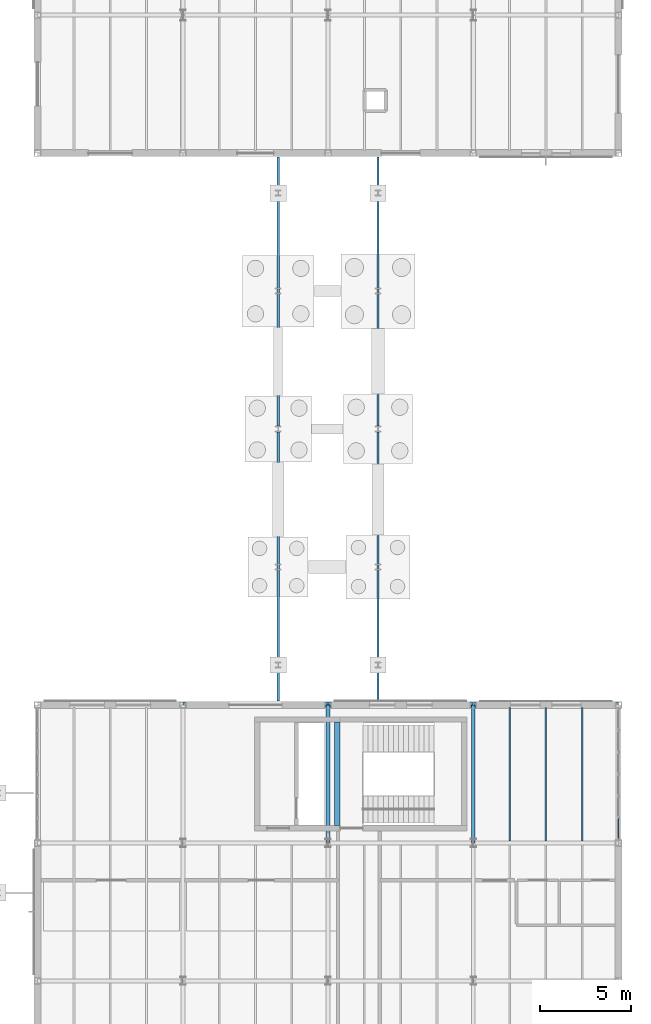
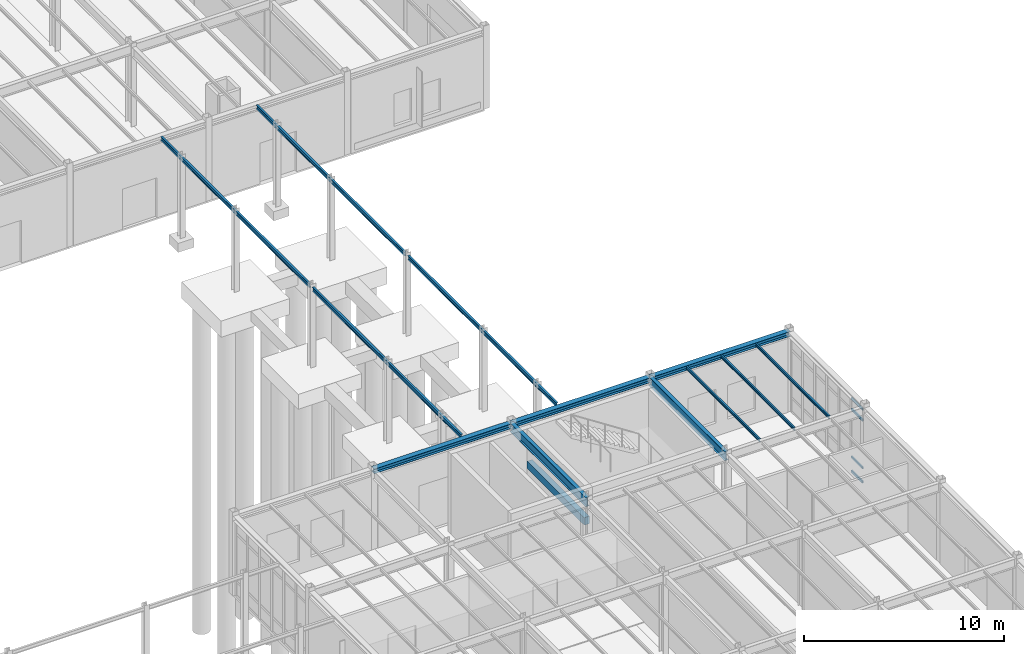
# One storey, part 69 of 109: 13 beams, 4 members, 1 element without a shape of its own.
"""IFC4 building model written with IfcOpenShell, lengths in metres."""

from ifc_helpers import new_model, si_unit, direction, frame, origin, origin_2d, place, context, subcontext, project, spatial, rectangle, hollow_rectangle, i_section, extrude, material, layer, layer_set, material_profile, profile_set, type_object, element, aggregate, save


model = new_model("IFC4")

# Units and contexts
model_context = context("Model", 3, precision=1e-05, world=origin(), true_north=direction((0.0, 1.0)))
body_context = subcontext(model_context, "Body", "Model", "MODEL_VIEW")
ifc_project = project(units=[si_unit("LENGTHUNIT", "METRE"), si_unit("AREAUNIT", "SQUARE_METRE"), si_unit("VOLUMEUNIT", "CUBIC_METRE"), si_unit("PLANEANGLEUNIT", "RADIAN"), si_unit("MASSUNIT", "GRAM", prefix="KILO")], contexts=[model_context])

# Site, building, storey
site_placement = place(None, origin())
site = spatial("IfcSite", under=ifc_project, at=site_placement, CompositionType="ELEMENT")
building_placement = place(site_placement, origin())
building = spatial("IfcBuilding", under=site, at=building_placement, Name="Montecoro Central Library", CompositionType="ELEMENT")
storey_placement = place(building_placement, origin())
storey = spatial("IfcBuildingStorey", under=building, at=storey_placement, Name="L00", CompositionType="ELEMENT", Elevation=0.0)

# Beams
ifc_material_1 = material(Name="Steel S355J2", Category="steel")
ifc_material_profile_1 = material_profile(ifc_material_1, i_section(OverallWidth=0.2099609375, OverallDepth=0.550048828125, WebThickness=0.010986328125, FlangeThickness=0.01708984375, at=origin_2d()), Name="IPE 550")
ifc_profile_set_1 = profile_set([ifc_material_profile_1], Name="Steel S355J2")
beam_type_1 = type_object("IfcBeamType", Name="BM-G-IPE550", PredefinedType="USERDEFINED", material=ifc_profile_set_1)
for number, where, z_axis, x_axis, name in (
    (1, (157.0, 35.405029296875, 4.570068359375), (0.0, 1.0, 0.0), (-1.0, 0.0, 0.0), "V6-L00-BY-20-EF"),
    (2, (165.0, 35.405029296875, 4.570068359375), (0.0, 1.0, 0.0), (-1.0, 0.0, 0.0), "V6-L00-BY-21-EF"),
):
    element("IfcBeam", number, at=place(storey_placement, frame(where, z_axis=z_axis, x_axis=x_axis)), inside=storey, type_object=beam_type_1, Name=name, ObjectType="GIRDER", PredefinedType="USERDEFINED", context=body_context, shape_type="SweptSolid", body=[
        extrude(i_section(OverallWidth=0.2099609375, OverallDepth=0.550048828125, WebThickness=0.010986328125, FlangeThickness=0.01708984375, at=origin_2d()), origin(), (0.0, 0.0, 1.0), 7.590087890625),
    ])
ifc_material_2 = material(Name="Steel S355", Category="steel")
ifc_material_profile_2 = material_profile(ifc_material_2, i_section(OverallWidth=0.091064453125, OverallDepth=0.179931640625, WebThickness=0.00537109375, FlangeThickness=0.008056640625, at=origin_2d()), Name="IPE 180")
ifc_profile_set_2 = profile_set([ifc_material_profile_2], Name="Steel S355")
beam_type_2 = type_object("IfcBeamType", Name="BM-J-IPE180", PredefinedType="JOIST", material=ifc_profile_set_2)
for number, where, z_axis, x_axis, name in (
    (3, (167.0, 35.501953125, 4.7548828125), (0.0, 1.0, 0.0), (-1.0, 0.0, 0.0), "V6-L00-JS-2122-EF-1"),
    (4, (169.0, 35.501953125, 4.7548828125), (0.0, 1.0, 0.0), (-1.0, 0.0, 0.0), "V6-L00-JS-2122-EF-2"),
    (5, (171.0, 35.501953125, 4.7548828125), (0.0, 1.0, 0.0), (-1.0, 0.0, 0.0), "V6-L00-JS-2122-EF-3"),
):
    element("IfcBeam", number, at=place(storey_placement, frame(where, z_axis=z_axis, x_axis=x_axis)), inside=storey, type_object=beam_type_2, Name=name, PredefinedType="JOIST", context=body_context, shape_type="SweptSolid", body=[
        extrude(i_section(OverallWidth=0.091064453125, OverallDepth=0.179931640625, WebThickness=0.00537109375, FlangeThickness=0.008056640625, at=origin_2d()), origin(), (0.0, 0.0, 1.0), 7.35107421875),
    ])
ifc_material_3 = material(Name="Concrete C35/45", Category="concrete")
ifc_material_profile_3 = material_profile(ifc_material_3, rectangle(XDim=0.300048828125, YDim=0.449951171875, at=origin_2d()), Name="RC LNT 450x300")
ifc_profile_set_3 = profile_set([ifc_material_profile_3], Name="Concrete C35/45")
beam_type_3 = type_object("IfcBeamType", Name="BM-LN-RC02", PredefinedType="LINTEL", material=ifc_profile_set_3)
beam_1_placement = place(storey_placement, frame((157.5, 36.35009765625, 2.675048828125), z_axis=(0.0, 1.0, 0.0), x_axis=(-1.0, 0.0, 0.0)))
element("IfcBeam", 6, at=beam_1_placement, inside=storey, type_object=beam_type_3, Name="C7-L00-LNT", PredefinedType="LINTEL", context=body_context, shape_type="SweptSolid", body=[
    extrude(rectangle(XDim=0.300048828125, YDim=0.449951171875, at=origin_2d()), origin(), (0.0, 0.0, 1.0), 5.699951171875),
])
ifc_material_profile_4 = material_profile(ifc_material_2, i_section(OverallWidth=0.300048828125, OverallDepth=0.2900390625, WebThickness=0.008544921875, FlangeThickness=0.013916015625, at=origin_2d()), Name="HEA 300")
ifc_profile_set_4 = profile_set([ifc_material_profile_4], Name="Steel S355")
beam_type_4 = type_object("IfcBeamType", Name="BM-SP-HEA300", PredefinedType="SPANDREL", material=ifc_profile_set_4)
for number, where, z_axis, x_axis, name in (
    (7, (149.0048828125, 43.0, 4.699951171875), (1.0, 0.0, 0.0), (0.0, 1.0, 0.0), "V6-L00-BX-1920-F"),
    (8, (157.0048828125, 43.0, 4.699951171875), (1.0, 0.0, 0.0), (0.0, 1.0, 0.0), "V6-L00-BX-2021-F"),
    (9, (165.0048828125, 43.0, 4.699951171875), (1.0, 0.0, 0.0), (0.0, 1.0, 0.0), "V6-L00-BX-2122-F"),
):
    element("IfcBeam", number, at=place(storey_placement, frame(where, z_axis=z_axis, x_axis=x_axis)), inside=storey, type_object=beam_type_4, Name=name, PredefinedType="SPANDREL", context=body_context, shape_type="SweptSolid", body=[
        extrude(i_section(OverallWidth=0.300048828125, OverallDepth=0.2900390625, WebThickness=0.008544921875, FlangeThickness=0.013916015625, at=origin_2d()), origin(), (0.0, 0.0, 1.0), 7.990234375),
    ])
ifc_material_profile_5 = material_profile(ifc_material_2, i_section(OverallWidth=0.1201171875, OverallDepth=0.239990234375, WebThickness=0.006103515625, FlangeThickness=0.009765625, at=origin_2d()), Name="IPE 240")
ifc_profile_set_5 = profile_set([ifc_material_profile_5], Name="Steel S355")
beam_type_5 = type_object("IfcBeamType", Name="BM-SP-IPE240", PredefinedType="SPANDREL", material=ifc_profile_set_5)
beam_2_placement = place(storey_placement, frame((154.25, 43.219970703125, 4.794921875), z_axis=(0.0, 1.0, 0.0), x_axis=(-1.0, 0.0, 0.0)))
element("IfcBeam", 10, at=beam_2_placement, inside=storey, type_object=beam_type_5, Name="BR-E-L01-BM-W1", PredefinedType="SPANDREL", context=body_context, shape_type="SweptSolid", body=[
    extrude(i_section(OverallWidth=0.1201171875, OverallDepth=0.239990234375, WebThickness=0.006103515625, FlangeThickness=0.009765625, at=origin_2d()), origin(), (0.0, 0.0, 1.0), 14.820068359375),
])
beam_3_placement = place(storey_placement, frame((154.25, 58.360107421875, 4.794921875), z_axis=(0.0, 1.0, 0.0), x_axis=(-1.0, 0.0, 0.0)))
element("IfcBeam", 11, at=beam_3_placement, inside=storey, type_object=beam_type_5, Name="BR-E-L01-BM-W2", PredefinedType="SPANDREL", context=body_context, shape_type="SweptSolid", body=[
    extrude(i_section(OverallWidth=0.1201171875, OverallDepth=0.239990234375, WebThickness=0.006103515625, FlangeThickness=0.009765625, at=origin_2d()), origin(), (0.0, 0.0, 1.0), 14.81982421875),
])
beam_4_placement = place(storey_placement, frame((159.75, 43.219970703125, 4.794921875), z_axis=(0.0, 1.0, 0.0), x_axis=(-1.0, 0.0, 0.0)))
element("IfcBeam", 12, at=beam_4_placement, inside=storey, type_object=beam_type_5, Name="BR-E-L01-BM-E1", PredefinedType="SPANDREL", context=body_context, shape_type="SweptSolid", body=[
    extrude(i_section(OverallWidth=0.1201171875, OverallDepth=0.239990234375, WebThickness=0.006103515625, FlangeThickness=0.009765625, at=origin_2d()), origin(), (0.0, 0.0, 1.0), 14.820068359375),
])
beam_5_placement = place(storey_placement, frame((159.75, 58.360107421875, 4.794921875), z_axis=(0.0, 1.0, 0.0), x_axis=(-1.0, 0.0, 0.0)))
element("IfcBeam", 13, at=beam_5_placement, inside=storey, type_object=beam_type_5, Name="BR-E-L01-BM-E2", PredefinedType="SPANDREL", context=body_context, shape_type="SweptSolid", body=[
    extrude(i_section(OverallWidth=0.1201171875, OverallDepth=0.239990234375, WebThickness=0.006103515625, FlangeThickness=0.009765625, at=origin_2d()), origin(), (0.0, 0.0, 1.0), 14.81982421875),
])

# Curtain wall, members
ifc_material_4 = material(Name="Bronze-anodised aluminium and low-E glazing", Category="aluminium")
ifc_layer = layer(ifc_material_4, 0.159912109375)
ifc_layer_set = layer_set([ifc_layer], Name="Bronze-anodised aluminium and low-E glazing")
curtain_wall_type = type_object("IfcCurtainWallType", Name="CWT-058", PredefinedType="NOTDEFINED", material=ifc_layer_set)
curtain_wall_placement = place(storey_placement, origin())
curtain_wall = element("IfcCurtainWall", 14, at=curtain_wall_placement, inside=storey, type_object=curtain_wall_type, Name="V6-L00-CW-E4", PredefinedType="NOTDEFINED")
ifc_material_5 = material(Name="Bronze-anodised aluminium", Category="aluminium")
ifc_material_profile_6 = material_profile(ifc_material_5, hollow_rectangle(XDim=0.070068359375, YDim=0.139892578125, WallThickness=0.00390625, at=origin_2d()), Name="CWT 140x70x4.0")
ifc_profile_set_6 = profile_set([ifc_material_profile_6], Name="Bronze-anodised aluminium")
member_type = type_object("IfcMemberType", Name="CWT-BRZ-70", PredefinedType="USERDEFINED", material=ifc_profile_set_6)
member_1_placement = place(storey_placement, frame((173.0, 35.64794921875, 0.034912109375), z_axis=(0.0, 1.0, 0.0), x_axis=(-1.0, 0.0, 0.0)))
member_1 = element("IfcMember", 15, at=member_1_placement, type_object=member_type, Name="CW-058 transom 1.1", ObjectType="TRANSOM", PredefinedType="USERDEFINED", context=body_context, shape_type="SweptSolid", body=[
    extrude(hollow_rectangle(XDim=0.070068359375, YDim=0.139892578125, WallThickness=0.00390625, at=origin_2d()), origin(), (0.0, 0.0, 1.0), 1.102294921875),
])
member_2_placement = place(storey_placement, frame((173.0, 35.64794921875, 0.89990234375), z_axis=(0.0, 1.0, 0.0), x_axis=(-1.0, 0.0, 0.0)))
member_2 = element("IfcMember", 16, at=member_2_placement, type_object=member_type, Name="CW-058 transom 1.2", ObjectType="TRANSOM", PredefinedType="USERDEFINED", context=body_context, shape_type="SweptSolid", body=[
    extrude(hollow_rectangle(XDim=0.070068359375, YDim=0.139892578125, WallThickness=0.00390625, at=origin_2d()), origin(), (0.0, 0.0, 1.0), 1.102294921875),
])
member_3_placement = place(storey_placement, frame((173.0, 35.64794921875, 3.800048828125), z_axis=(0.0, 1.0, 0.0), x_axis=(-1.0, 0.0, 0.0)))
member_3 = element("IfcMember", 17, at=member_3_placement, type_object=member_type, Name="CW-058 transom 1.3", ObjectType="TRANSOM", PredefinedType="USERDEFINED", context=body_context, shape_type="SweptSolid", body=[
    extrude(hollow_rectangle(XDim=0.070068359375, YDim=0.139892578125, WallThickness=0.00390625, at=origin_2d()), origin(), (0.0, 0.0, 1.0), 1.102294921875),
])
member_4_placement = place(storey_placement, frame((173.0, 35.64794921875, 4.465087890625), z_axis=(0.0, 1.0, 0.0), x_axis=(-1.0, 0.0, 0.0)))
member_4 = element("IfcMember", 18, at=member_4_placement, type_object=member_type, Name="CW-058 transom 1.4", ObjectType="TRANSOM", PredefinedType="USERDEFINED", context=body_context, shape_type="SweptSolid", body=[
    extrude(hollow_rectangle(XDim=0.070068359375, YDim=0.139892578125, WallThickness=0.00390625, at=origin_2d()), origin(), (0.0, 0.0, 1.0), 1.102294921875),
])
aggregate(curtain_wall, [member_1, member_2, member_3, member_4])

save(model, "model.ifc")
